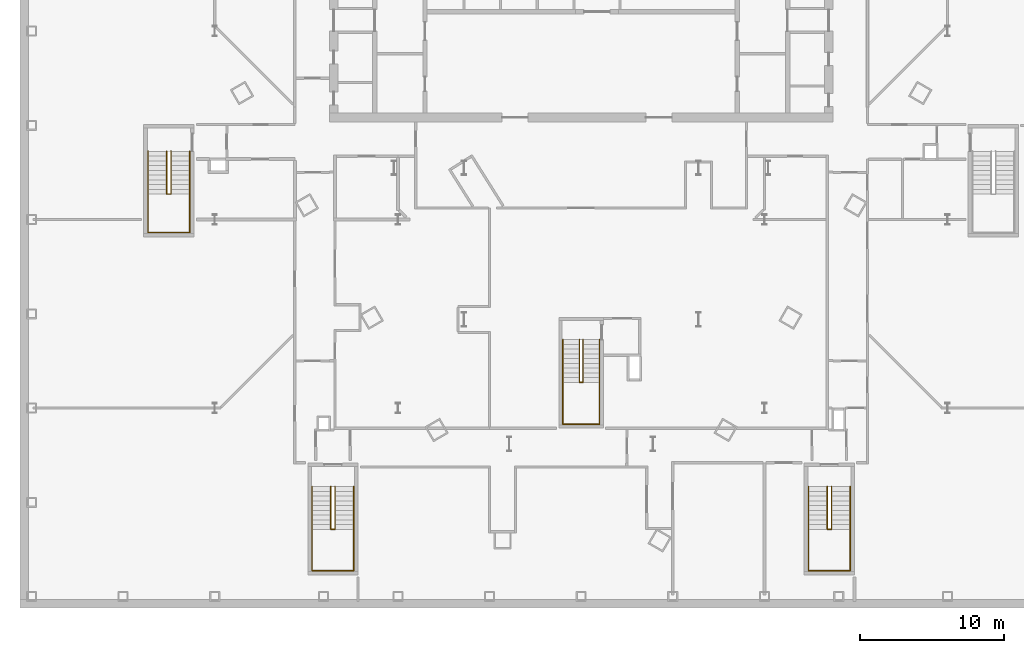
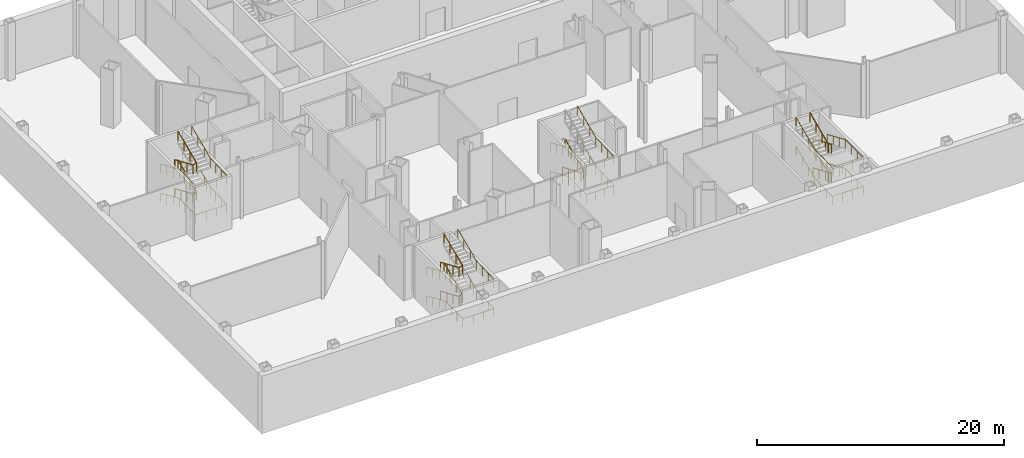
# One storey, part 16 of 18: 15 railings.
"""IFC4 building model written with IfcOpenShell, lengths in metres."""

from ifc_helpers import new_model, si_unit, direction, frame, origin, origin_2d, place, context, subcontext, project, spatial, circle, extrude, material, type_object, element, save


model = new_model("IFC4")

# Units and contexts
model_context = context("Model", 3, precision=1e-05, world=origin(), true_north=direction((0.0, 1.0)))
body_context = subcontext(model_context, "Body", "Model", "MODEL_VIEW")
ifc_project = project(units=[si_unit("LENGTHUNIT", "METRE"), si_unit("AREAUNIT", "SQUARE_METRE"), si_unit("VOLUMEUNIT", "CUBIC_METRE"), si_unit("PLANEANGLEUNIT", "RADIAN"), si_unit("MASSUNIT", "GRAM", prefix="KILO")], contexts=[model_context])

# Site, building, storey
site_placement = place(None, origin())
site = spatial("IfcSite", under=ifc_project, at=site_placement, CompositionType="ELEMENT")
building_placement = place(site_placement, origin())
building = spatial("IfcBuilding", under=site, at=building_placement, Name="Njiva Tower", CompositionType="ELEMENT")
storey_placement = place(building_placement, frame((0.0, 0.0, -5.7)))
storey = spatial("IfcBuildingStorey", under=building, at=storey_placement, Name="B1", CompositionType="ELEMENT", Elevation=-5.7)

# Railings
ifc_material = material(Name="Stainless steel", Category="steel")
railing_type = type_object("IfcRailingType", Name="RL1 Stair handrail 900", PredefinedType="HANDRAIL", material=ifc_material)
railing_1_placement = place(storey_placement, frame((-1.275, -15.135, 0.1425)))
element("IfcRailing", 1, at=railing_1_placement, inside=storey, type_object=railing_type, Name="Stair C handrail", PredefinedType="HANDRAIL", context=body_context, shape_type="SweptSolid", body=[
    extrude(circle(Radius=0.024, at=origin_2d()), frame((0.0, 0.0, 0.876), z_axis=(0.0, -0.918062353536, 0.3964360163), x_axis=(1.0, 0.0, 0.0)), (0.0, 0.0, 1.0), 3.2351),
    extrude(circle(Radius=0.024, at=origin_2d()), frame((0.0, -2.97, 2.1585), z_axis=(0.0, -1.0, 0.0), x_axis=(1.0, 0.0, 0.0)), (0.0, 0.0, 1.0), 2.92),
    extrude(circle(Radius=0.024, at=origin_2d()), frame((0.0, -5.89, 2.1585), z_axis=(1.0, 0.0, 0.0), x_axis=(0.0, 1.0, 0.0)), (0.0, 0.0, 1.0), 2.55),
    extrude(circle(Radius=0.024, at=origin_2d()), frame((2.55, -5.89, 2.1585), z_axis=(0.0, 0.998811335897, 0.048743361426), x_axis=(-1.0, 0.0, 0.0)), (0.0, 0.0, 1.0), 2.9235),
    extrude(circle(Radius=0.024, at=origin_2d()), frame((2.55, -2.97, 2.301), z_axis=(0.0, 0.918062353536, 0.3964360163), x_axis=(-1.0, 0.0, 0.0)), (0.0, 0.0, 1.0), 3.2351),
    extrude(circle(Radius=0.021, at=origin_2d()), origin(), (0.0, 0.0, 1.0), 0.852),
    extrude(circle(Radius=0.021, at=origin_2d()), frame((0.0, -0.99, 0.4275)), (0.0, 0.0, 1.0), 0.852),
    extrude(circle(Radius=0.021, at=origin_2d()), frame((0.0, -1.98, 0.855)), (0.0, 0.0, 1.0), 0.852),
    extrude(circle(Radius=0.021, at=origin_2d()), frame((0.0, -2.97, 1.2825)), (0.0, 0.0, 1.0), 0.852),
    extrude(circle(Radius=0.021, at=origin_2d()), frame((0.0, -3.9433, 1.2825)), (0.0, 0.0, 1.0), 0.852),
    extrude(circle(Radius=0.021, at=origin_2d()), frame((0.0, -4.9167, 1.2825)), (0.0, 0.0, 1.0), 0.852),
    extrude(circle(Radius=0.021, at=origin_2d()), frame((0.0, -5.89, 1.2825)), (0.0, 0.0, 1.0), 0.852),
    extrude(circle(Radius=0.021, at=origin_2d()), frame((0.85, -5.89, 1.2825)), (0.0, 0.0, 1.0), 0.852),
    extrude(circle(Radius=0.021, at=origin_2d()), frame((1.7, -5.89, 1.2825)), (0.0, 0.0, 1.0), 0.852),
    extrude(circle(Radius=0.021, at=origin_2d()), frame((2.55, -5.89, 1.2825)), (0.0, 0.0, 1.0), 0.852),
    extrude(circle(Radius=0.021, at=origin_2d()), frame((2.55, -4.9167, 1.33)), (0.0, 0.0, 1.0), 0.852),
    extrude(circle(Radius=0.021, at=origin_2d()), frame((2.55, -3.9433, 1.3775)), (0.0, 0.0, 1.0), 0.852),
    extrude(circle(Radius=0.021, at=origin_2d()), frame((2.55, -2.97, 1.425)), (0.0, 0.0, 1.0), 0.852),
    extrude(circle(Radius=0.021, at=origin_2d()), frame((2.55, -1.98, 1.8525)), (0.0, 0.0, 1.0), 0.852),
    extrude(circle(Radius=0.021, at=origin_2d()), frame((2.55, -0.99, 2.28)), (0.0, 0.0, 1.0), 0.852),
    extrude(circle(Radius=0.021, at=origin_2d()), frame((2.55, 0.0, 2.7075)), (0.0, 0.0, 1.0), 0.852),
])
railing_2_placement = place(storey_placement, frame((-0.125, -15.135, 0.1425)))
element("IfcRailing", 2, at=railing_2_placement, inside=storey, type_object=railing_type, Name="Stair C handrail", PredefinedType="HANDRAIL", context=body_context, shape_type="SweptSolid", body=[
    extrude(circle(Radius=0.024, at=origin_2d()), frame((0.0, 0.0, 0.876), z_axis=(0.0, -0.918062353536, 0.3964360163), x_axis=(1.0, 0.0, 0.0)), (0.0, 0.0, 1.0), 3.2351),
    extrude(circle(Radius=0.024, at=origin_2d()), frame((0.0, -2.97, 2.1585), z_axis=(0.868777270193, 0.0, 0.49520304401), x_axis=(0.0, 1.0, 0.0)), (0.0, 0.0, 1.0), 0.2878),
    extrude(circle(Radius=0.024, at=origin_2d()), frame((0.25, -2.97, 2.301), z_axis=(0.0, 0.918062353536, 0.3964360163), x_axis=(-1.0, 0.0, 0.0)), (0.0, 0.0, 1.0), 3.2351),
    extrude(circle(Radius=0.021, at=origin_2d()), origin(), (0.0, 0.0, 1.0), 0.852),
    extrude(circle(Radius=0.021, at=origin_2d()), frame((0.0, -0.99, 0.4275)), (0.0, 0.0, 1.0), 0.852),
    extrude(circle(Radius=0.021, at=origin_2d()), frame((0.0, -1.98, 0.855)), (0.0, 0.0, 1.0), 0.852),
    extrude(circle(Radius=0.021, at=origin_2d()), frame((0.0, -2.97, 1.2825)), (0.0, 0.0, 1.0), 0.852),
    extrude(circle(Radius=0.021, at=origin_2d()), frame((0.25, -2.97, 1.425)), (0.0, 0.0, 1.0), 0.852),
    extrude(circle(Radius=0.021, at=origin_2d()), frame((0.25, -1.98, 1.8525)), (0.0, 0.0, 1.0), 0.852),
    extrude(circle(Radius=0.021, at=origin_2d()), frame((0.25, -0.99, 2.28)), (0.0, 0.0, 1.0), 0.852),
    extrude(circle(Radius=0.021, at=origin_2d()), frame((0.25, 0.0, 2.7075)), (0.0, 0.0, 1.0), 0.852),
])
railing_3_placement = place(storey_placement, frame((-1.275, -15.135, 2.9925)))
element("IfcRailing", 3, at=railing_3_placement, inside=storey, type_object=railing_type, Name="Stair C handrail", PredefinedType="HANDRAIL", context=body_context, shape_type="SweptSolid", body=[
    extrude(circle(Radius=0.024, at=origin_2d()), frame((0.0, 0.0, 0.876), z_axis=(0.0, -0.918062353536, 0.3964360163), x_axis=(1.0, 0.0, 0.0)), (0.0, 0.0, 1.0), 3.2351),
    extrude(circle(Radius=0.024, at=origin_2d()), frame((0.0, -2.97, 2.1585), z_axis=(0.0, -1.0, 0.0), x_axis=(1.0, 0.0, 0.0)), (0.0, 0.0, 1.0), 2.92),
    extrude(circle(Radius=0.024, at=origin_2d()), frame((0.0, -5.89, 2.1585), z_axis=(1.0, 0.0, 0.0), x_axis=(0.0, 1.0, 0.0)), (0.0, 0.0, 1.0), 2.55),
    extrude(circle(Radius=0.024, at=origin_2d()), frame((2.55, -5.89, 2.1585), z_axis=(0.0, 0.998811335897, 0.048743361426), x_axis=(-1.0, 0.0, 0.0)), (0.0, 0.0, 1.0), 2.9235),
    extrude(circle(Radius=0.024, at=origin_2d()), frame((2.55, -2.97, 2.301), z_axis=(0.0, 0.918062353536, 0.3964360163), x_axis=(-1.0, 0.0, 0.0)), (0.0, 0.0, 1.0), 3.2351),
    extrude(circle(Radius=0.021, at=origin_2d()), origin(), (0.0, 0.0, 1.0), 0.852),
    extrude(circle(Radius=0.021, at=origin_2d()), frame((0.0, -0.99, 0.4275)), (0.0, 0.0, 1.0), 0.852),
    extrude(circle(Radius=0.021, at=origin_2d()), frame((0.0, -1.98, 0.855)), (0.0, 0.0, 1.0), 0.852),
    extrude(circle(Radius=0.021, at=origin_2d()), frame((0.0, -2.97, 1.2825)), (0.0, 0.0, 1.0), 0.852),
    extrude(circle(Radius=0.021, at=origin_2d()), frame((0.0, -3.9433, 1.2825)), (0.0, 0.0, 1.0), 0.852),
    extrude(circle(Radius=0.021, at=origin_2d()), frame((0.0, -4.9167, 1.2825)), (0.0, 0.0, 1.0), 0.852),
    extrude(circle(Radius=0.021, at=origin_2d()), frame((0.0, -5.89, 1.2825)), (0.0, 0.0, 1.0), 0.852),
    extrude(circle(Radius=0.021, at=origin_2d()), frame((0.85, -5.89, 1.2825)), (0.0, 0.0, 1.0), 0.852),
    extrude(circle(Radius=0.021, at=origin_2d()), frame((1.7, -5.89, 1.2825)), (0.0, 0.0, 1.0), 0.852),
    extrude(circle(Radius=0.021, at=origin_2d()), frame((2.55, -5.89, 1.2825)), (0.0, 0.0, 1.0), 0.852),
    extrude(circle(Radius=0.021, at=origin_2d()), frame((2.55, -4.9167, 1.33)), (0.0, 0.0, 1.0), 0.852),
    extrude(circle(Radius=0.021, at=origin_2d()), frame((2.55, -3.9433, 1.3775)), (0.0, 0.0, 1.0), 0.852),
    extrude(circle(Radius=0.021, at=origin_2d()), frame((2.55, -2.97, 1.425)), (0.0, 0.0, 1.0), 0.852),
    extrude(circle(Radius=0.021, at=origin_2d()), frame((2.55, -1.98, 1.8525)), (0.0, 0.0, 1.0), 0.852),
    extrude(circle(Radius=0.021, at=origin_2d()), frame((2.55, -0.99, 2.28)), (0.0, 0.0, 1.0), 0.852),
    extrude(circle(Radius=0.021, at=origin_2d()), frame((2.55, 0.0, 2.7075)), (0.0, 0.0, 1.0), 0.852),
])
railing_4_placement = place(storey_placement, frame((-18.7, -25.35, 0.1425)))
element("IfcRailing", 4, at=railing_4_placement, inside=storey, type_object=railing_type, Name="Stair D handrail", PredefinedType="HANDRAIL", context=body_context, shape_type="SweptSolid", body=[
    extrude(circle(Radius=0.024, at=origin_2d()), frame((0.0, 0.0, 0.876), z_axis=(0.0, -0.918062353536, 0.3964360163), x_axis=(1.0, 0.0, 0.0)), (0.0, 0.0, 1.0), 3.2351),
    extrude(circle(Radius=0.024, at=origin_2d()), frame((0.0, -2.97, 2.1585), z_axis=(0.0, -1.0, 0.0), x_axis=(1.0, 0.0, 0.0)), (0.0, 0.0, 1.0), 2.88),
    extrude(circle(Radius=0.024, at=origin_2d()), frame((0.0, -5.85, 2.1585), z_axis=(1.0, 0.0, 0.0), x_axis=(0.0, 1.0, 0.0)), (0.0, 0.0, 1.0), 2.9),
    extrude(circle(Radius=0.024, at=origin_2d()), frame((2.9, -5.85, 2.1585), z_axis=(0.0, 0.998778149066, 0.049418710501), x_axis=(-1.0, 0.0, 0.0)), (0.0, 0.0, 1.0), 2.8835),
    extrude(circle(Radius=0.024, at=origin_2d()), frame((2.9, -2.97, 2.301), z_axis=(0.0, 0.918062353536, 0.3964360163), x_axis=(-1.0, 0.0, 0.0)), (0.0, 0.0, 1.0), 3.2351),
    extrude(circle(Radius=0.021, at=origin_2d()), origin(), (0.0, 0.0, 1.0), 0.852),
    extrude(circle(Radius=0.021, at=origin_2d()), frame((0.0, -0.99, 0.4275)), (0.0, 0.0, 1.0), 0.852),
    extrude(circle(Radius=0.021, at=origin_2d()), frame((0.0, -1.98, 0.855)), (0.0, 0.0, 1.0), 0.852),
    extrude(circle(Radius=0.021, at=origin_2d()), frame((0.0, -2.97, 1.2825)), (0.0, 0.0, 1.0), 0.852),
    extrude(circle(Radius=0.021, at=origin_2d()), frame((0.0, -3.93, 1.2825)), (0.0, 0.0, 1.0), 0.852),
    extrude(circle(Radius=0.021, at=origin_2d()), frame((0.0, -4.89, 1.2825)), (0.0, 0.0, 1.0), 0.852),
    extrude(circle(Radius=0.021, at=origin_2d()), frame((0.0, -5.85, 1.2825)), (0.0, 0.0, 1.0), 0.852),
    extrude(circle(Radius=0.021, at=origin_2d()), frame((0.9667, -5.85, 1.2825)), (0.0, 0.0, 1.0), 0.852),
    extrude(circle(Radius=0.021, at=origin_2d()), frame((1.9333, -5.85, 1.2825)), (0.0, 0.0, 1.0), 0.852),
    extrude(circle(Radius=0.021, at=origin_2d()), frame((2.9, -5.85, 1.2825)), (0.0, 0.0, 1.0), 0.852),
    extrude(circle(Radius=0.021, at=origin_2d()), frame((2.9, -4.89, 1.33)), (0.0, 0.0, 1.0), 0.852),
    extrude(circle(Radius=0.021, at=origin_2d()), frame((2.9, -3.93, 1.3775)), (0.0, 0.0, 1.0), 0.852),
    extrude(circle(Radius=0.021, at=origin_2d()), frame((2.9, -2.97, 1.425)), (0.0, 0.0, 1.0), 0.852),
    extrude(circle(Radius=0.021, at=origin_2d()), frame((2.9, -1.98, 1.8525)), (0.0, 0.0, 1.0), 0.852),
    extrude(circle(Radius=0.021, at=origin_2d()), frame((2.9, -0.99, 2.28)), (0.0, 0.0, 1.0), 0.852),
    extrude(circle(Radius=0.021, at=origin_2d()), frame((2.9, 0.0, 2.7075)), (0.0, 0.0, 1.0), 0.852),
])
railing_5_placement = place(storey_placement, frame((-17.4, -25.35, 0.1425)))
element("IfcRailing", 5, at=railing_5_placement, inside=storey, type_object=railing_type, Name="Stair D handrail", PredefinedType="HANDRAIL", context=body_context, shape_type="SweptSolid", body=[
    extrude(circle(Radius=0.024, at=origin_2d()), frame((0.0, 0.0, 0.876), z_axis=(0.0, -0.918062353536, 0.3964360163), x_axis=(1.0, 0.0, 0.0)), (0.0, 0.0, 1.0), 3.2351),
    extrude(circle(Radius=0.024, at=origin_2d()), frame((0.0, -2.97, 2.1585), z_axis=(0.903277504354, 0.0, 0.429056814568), x_axis=(0.0, 1.0, 0.0)), (0.0, 0.0, 1.0), 0.3321),
    extrude(circle(Radius=0.024, at=origin_2d()), frame((0.3, -2.97, 2.301), z_axis=(0.0, 0.918062353536, 0.3964360163), x_axis=(-1.0, 0.0, 0.0)), (0.0, 0.0, 1.0), 3.2351),
    extrude(circle(Radius=0.021, at=origin_2d()), origin(), (0.0, 0.0, 1.0), 0.852),
    extrude(circle(Radius=0.021, at=origin_2d()), frame((0.0, -0.99, 0.4275)), (0.0, 0.0, 1.0), 0.852),
    extrude(circle(Radius=0.021, at=origin_2d()), frame((0.0, -1.98, 0.855)), (0.0, 0.0, 1.0), 0.852),
    extrude(circle(Radius=0.021, at=origin_2d()), frame((0.0, -2.97, 1.2825)), (0.0, 0.0, 1.0), 0.852),
    extrude(circle(Radius=0.021, at=origin_2d()), frame((0.3, -2.97, 1.425)), (0.0, 0.0, 1.0), 0.852),
    extrude(circle(Radius=0.021, at=origin_2d()), frame((0.3, -1.98, 1.8525)), (0.0, 0.0, 1.0), 0.852),
    extrude(circle(Radius=0.021, at=origin_2d()), frame((0.3, -0.99, 2.28)), (0.0, 0.0, 1.0), 0.852),
    extrude(circle(Radius=0.021, at=origin_2d()), frame((0.3, 0.0, 2.7075)), (0.0, 0.0, 1.0), 0.852),
])
railing_6_placement = place(storey_placement, frame((-18.7, -25.35, 2.9925)))
element("IfcRailing", 6, at=railing_6_placement, inside=storey, type_object=railing_type, Name="Stair D handrail", PredefinedType="HANDRAIL", context=body_context, shape_type="SweptSolid", body=[
    extrude(circle(Radius=0.024, at=origin_2d()), frame((0.0, 0.0, 0.876), z_axis=(0.0, -0.918062353536, 0.3964360163), x_axis=(1.0, 0.0, 0.0)), (0.0, 0.0, 1.0), 3.2351),
    extrude(circle(Radius=0.024, at=origin_2d()), frame((0.0, -2.97, 2.1585), z_axis=(0.0, -1.0, 0.0), x_axis=(1.0, 0.0, 0.0)), (0.0, 0.0, 1.0), 2.88),
    extrude(circle(Radius=0.024, at=origin_2d()), frame((0.0, -5.85, 2.1585), z_axis=(1.0, 0.0, 0.0), x_axis=(0.0, 1.0, 0.0)), (0.0, 0.0, 1.0), 2.9),
    extrude(circle(Radius=0.024, at=origin_2d()), frame((2.9, -5.85, 2.1585), z_axis=(0.0, 0.998778149066, 0.049418710501), x_axis=(-1.0, 0.0, 0.0)), (0.0, 0.0, 1.0), 2.8835),
    extrude(circle(Radius=0.024, at=origin_2d()), frame((2.9, -2.97, 2.301), z_axis=(0.0, 0.918062353536, 0.3964360163), x_axis=(-1.0, 0.0, 0.0)), (0.0, 0.0, 1.0), 3.2351),
    extrude(circle(Radius=0.021, at=origin_2d()), origin(), (0.0, 0.0, 1.0), 0.852),
    extrude(circle(Radius=0.021, at=origin_2d()), frame((0.0, -0.99, 0.4275)), (0.0, 0.0, 1.0), 0.852),
    extrude(circle(Radius=0.021, at=origin_2d()), frame((0.0, -1.98, 0.855)), (0.0, 0.0, 1.0), 0.852),
    extrude(circle(Radius=0.021, at=origin_2d()), frame((0.0, -2.97, 1.2825)), (0.0, 0.0, 1.0), 0.852),
    extrude(circle(Radius=0.021, at=origin_2d()), frame((0.0, -3.93, 1.2825)), (0.0, 0.0, 1.0), 0.852),
    extrude(circle(Radius=0.021, at=origin_2d()), frame((0.0, -4.89, 1.2825)), (0.0, 0.0, 1.0), 0.852),
    extrude(circle(Radius=0.021, at=origin_2d()), frame((0.0, -5.85, 1.2825)), (0.0, 0.0, 1.0), 0.852),
    extrude(circle(Radius=0.021, at=origin_2d()), frame((0.9667, -5.85, 1.2825)), (0.0, 0.0, 1.0), 0.852),
    extrude(circle(Radius=0.021, at=origin_2d()), frame((1.9333, -5.85, 1.2825)), (0.0, 0.0, 1.0), 0.852),
    extrude(circle(Radius=0.021, at=origin_2d()), frame((2.9, -5.85, 1.2825)), (0.0, 0.0, 1.0), 0.852),
    extrude(circle(Radius=0.021, at=origin_2d()), frame((2.9, -4.89, 1.33)), (0.0, 0.0, 1.0), 0.852),
    extrude(circle(Radius=0.021, at=origin_2d()), frame((2.9, -3.93, 1.3775)), (0.0, 0.0, 1.0), 0.852),
    extrude(circle(Radius=0.021, at=origin_2d()), frame((2.9, -2.97, 1.425)), (0.0, 0.0, 1.0), 0.852),
    extrude(circle(Radius=0.021, at=origin_2d()), frame((2.9, -1.98, 1.8525)), (0.0, 0.0, 1.0), 0.852),
    extrude(circle(Radius=0.021, at=origin_2d()), frame((2.9, -0.99, 2.28)), (0.0, 0.0, 1.0), 0.852),
    extrude(circle(Radius=0.021, at=origin_2d()), frame((2.9, 0.0, 2.7075)), (0.0, 0.0, 1.0), 0.852),
])
railing_7_placement = place(storey_placement, frame((-17.4, -25.35, 2.9925)))
element("IfcRailing", 7, at=railing_7_placement, inside=storey, type_object=railing_type, Name="Stair D handrail", PredefinedType="HANDRAIL", context=body_context, shape_type="SweptSolid", body=[
    extrude(circle(Radius=0.024, at=origin_2d()), frame((0.0, 0.0, 0.876), z_axis=(0.0, -0.918062353536, 0.3964360163), x_axis=(1.0, 0.0, 0.0)), (0.0, 0.0, 1.0), 3.2351),
    extrude(circle(Radius=0.024, at=origin_2d()), frame((0.0, -2.97, 2.1585), z_axis=(0.903277504354, 0.0, 0.429056814568), x_axis=(0.0, 1.0, 0.0)), (0.0, 0.0, 1.0), 0.3321),
    extrude(circle(Radius=0.024, at=origin_2d()), frame((0.3, -2.97, 2.301), z_axis=(0.0, 0.918062353536, 0.3964360163), x_axis=(-1.0, 0.0, 0.0)), (0.0, 0.0, 1.0), 3.2351),
    extrude(circle(Radius=0.021, at=origin_2d()), origin(), (0.0, 0.0, 1.0), 0.852),
    extrude(circle(Radius=0.021, at=origin_2d()), frame((0.0, -0.99, 0.4275)), (0.0, 0.0, 1.0), 0.852),
    extrude(circle(Radius=0.021, at=origin_2d()), frame((0.0, -1.98, 0.855)), (0.0, 0.0, 1.0), 0.852),
    extrude(circle(Radius=0.021, at=origin_2d()), frame((0.0, -2.97, 1.2825)), (0.0, 0.0, 1.0), 0.852),
    extrude(circle(Radius=0.021, at=origin_2d()), frame((0.3, -2.97, 1.425)), (0.0, 0.0, 1.0), 0.852),
    extrude(circle(Radius=0.021, at=origin_2d()), frame((0.3, -1.98, 1.8525)), (0.0, 0.0, 1.0), 0.852),
    extrude(circle(Radius=0.021, at=origin_2d()), frame((0.3, -0.99, 2.28)), (0.0, 0.0, 1.0), 0.852),
    extrude(circle(Radius=0.021, at=origin_2d()), frame((0.3, 0.0, 2.7075)), (0.0, 0.0, 1.0), 0.852),
])
railing_8_placement = place(storey_placement, frame((18.7, -25.35, 0.1425)))
element("IfcRailing", 8, at=railing_8_placement, inside=storey, type_object=railing_type, Name="Stair E handrail", PredefinedType="HANDRAIL", context=body_context, shape_type="SweptSolid", body=[
    extrude(circle(Radius=0.024, at=origin_2d()), frame((0.0, 0.0, 0.876), z_axis=(0.0, -0.918062353536, 0.3964360163), x_axis=(1.0, 0.0, 0.0)), (0.0, 0.0, 1.0), 3.2351),
    extrude(circle(Radius=0.024, at=origin_2d()), frame((0.0, -2.97, 2.1585), z_axis=(0.0, -1.0, 0.0), x_axis=(1.0, 0.0, 0.0)), (0.0, 0.0, 1.0), 2.88),
    extrude(circle(Radius=0.024, at=origin_2d()), frame((0.0, -5.85, 2.1585), z_axis=(-1.0, 0.0, 0.0), x_axis=(0.0, -1.0, 0.0)), (0.0, 0.0, 1.0), 2.9),
    extrude(circle(Radius=0.024, at=origin_2d()), frame((-2.9, -5.85, 2.1585), z_axis=(0.0, 0.998778149066, 0.049418710501), x_axis=(-1.0, 0.0, 0.0)), (0.0, 0.0, 1.0), 2.8835),
    extrude(circle(Radius=0.024, at=origin_2d()), frame((-2.9, -2.97, 2.301), z_axis=(0.0, 0.918062353536, 0.3964360163), x_axis=(-1.0, 0.0, 0.0)), (0.0, 0.0, 1.0), 3.2351),
    extrude(circle(Radius=0.021, at=origin_2d()), origin(), (0.0, 0.0, 1.0), 0.852),
    extrude(circle(Radius=0.021, at=origin_2d()), frame((0.0, -0.99, 0.4275)), (0.0, 0.0, 1.0), 0.852),
    extrude(circle(Radius=0.021, at=origin_2d()), frame((0.0, -1.98, 0.855)), (0.0, 0.0, 1.0), 0.852),
    extrude(circle(Radius=0.021, at=origin_2d()), frame((0.0, -2.97, 1.2825)), (0.0, 0.0, 1.0), 0.852),
    extrude(circle(Radius=0.021, at=origin_2d()), frame((0.0, -3.93, 1.2825)), (0.0, 0.0, 1.0), 0.852),
    extrude(circle(Radius=0.021, at=origin_2d()), frame((0.0, -4.89, 1.2825)), (0.0, 0.0, 1.0), 0.852),
    extrude(circle(Radius=0.021, at=origin_2d()), frame((0.0, -5.85, 1.2825)), (0.0, 0.0, 1.0), 0.852),
    extrude(circle(Radius=0.021, at=origin_2d()), frame((-0.9667, -5.85, 1.2825)), (0.0, 0.0, 1.0), 0.852),
    extrude(circle(Radius=0.021, at=origin_2d()), frame((-1.9333, -5.85, 1.2825)), (0.0, 0.0, 1.0), 0.852),
    extrude(circle(Radius=0.021, at=origin_2d()), frame((-2.9, -5.85, 1.2825)), (0.0, 0.0, 1.0), 0.852),
    extrude(circle(Radius=0.021, at=origin_2d()), frame((-2.9, -4.89, 1.33)), (0.0, 0.0, 1.0), 0.852),
    extrude(circle(Radius=0.021, at=origin_2d()), frame((-2.9, -3.93, 1.3775)), (0.0, 0.0, 1.0), 0.852),
    extrude(circle(Radius=0.021, at=origin_2d()), frame((-2.9, -2.97, 1.425)), (0.0, 0.0, 1.0), 0.852),
    extrude(circle(Radius=0.021, at=origin_2d()), frame((-2.9, -1.98, 1.8525)), (0.0, 0.0, 1.0), 0.852),
    extrude(circle(Radius=0.021, at=origin_2d()), frame((-2.9, -0.99, 2.28)), (0.0, 0.0, 1.0), 0.852),
    extrude(circle(Radius=0.021, at=origin_2d()), frame((-2.9, 0.0, 2.7075)), (0.0, 0.0, 1.0), 0.852),
])
railing_9_placement = place(storey_placement, frame((17.4, -25.35, 0.1425)))
element("IfcRailing", 9, at=railing_9_placement, inside=storey, type_object=railing_type, Name="Stair E handrail", PredefinedType="HANDRAIL", context=body_context, shape_type="SweptSolid", body=[
    extrude(circle(Radius=0.024, at=origin_2d()), frame((0.0, 0.0, 0.876), z_axis=(0.0, -0.918062353536, 0.3964360163), x_axis=(1.0, 0.0, 0.0)), (0.0, 0.0, 1.0), 3.2351),
    extrude(circle(Radius=0.024, at=origin_2d()), frame((0.0, -2.97, 2.1585), z_axis=(-0.903277504354, 0.0, 0.429056814568), x_axis=(0.0, -1.0, 0.0)), (0.0, 0.0, 1.0), 0.3321),
    extrude(circle(Radius=0.024, at=origin_2d()), frame((-0.3, -2.97, 2.301), z_axis=(0.0, 0.918062353536, 0.3964360163), x_axis=(-1.0, 0.0, 0.0)), (0.0, 0.0, 1.0), 3.2351),
    extrude(circle(Radius=0.021, at=origin_2d()), origin(), (0.0, 0.0, 1.0), 0.852),
    extrude(circle(Radius=0.021, at=origin_2d()), frame((0.0, -0.99, 0.4275)), (0.0, 0.0, 1.0), 0.852),
    extrude(circle(Radius=0.021, at=origin_2d()), frame((0.0, -1.98, 0.855)), (0.0, 0.0, 1.0), 0.852),
    extrude(circle(Radius=0.021, at=origin_2d()), frame((0.0, -2.97, 1.2825)), (0.0, 0.0, 1.0), 0.852),
    extrude(circle(Radius=0.021, at=origin_2d()), frame((-0.3, -2.97, 1.425)), (0.0, 0.0, 1.0), 0.852),
    extrude(circle(Radius=0.021, at=origin_2d()), frame((-0.3, -1.98, 1.8525)), (0.0, 0.0, 1.0), 0.852),
    extrude(circle(Radius=0.021, at=origin_2d()), frame((-0.3, -0.99, 2.28)), (0.0, 0.0, 1.0), 0.852),
    extrude(circle(Radius=0.021, at=origin_2d()), frame((-0.3, 0.0, 2.7075)), (0.0, 0.0, 1.0), 0.852),
])
railing_10_placement = place(storey_placement, frame((18.7, -25.35, 2.9925)))
element("IfcRailing", 10, at=railing_10_placement, inside=storey, type_object=railing_type, Name="Stair E handrail", PredefinedType="HANDRAIL", context=body_context, shape_type="SweptSolid", body=[
    extrude(circle(Radius=0.024, at=origin_2d()), frame((0.0, 0.0, 0.876), z_axis=(0.0, -0.918062353536, 0.3964360163), x_axis=(1.0, 0.0, 0.0)), (0.0, 0.0, 1.0), 3.2351),
    extrude(circle(Radius=0.024, at=origin_2d()), frame((0.0, -2.97, 2.1585), z_axis=(0.0, -1.0, 0.0), x_axis=(1.0, 0.0, 0.0)), (0.0, 0.0, 1.0), 2.88),
    extrude(circle(Radius=0.024, at=origin_2d()), frame((0.0, -5.85, 2.1585), z_axis=(-1.0, 0.0, 0.0), x_axis=(0.0, -1.0, 0.0)), (0.0, 0.0, 1.0), 2.9),
    extrude(circle(Radius=0.024, at=origin_2d()), frame((-2.9, -5.85, 2.1585), z_axis=(0.0, 0.998778149066, 0.049418710501), x_axis=(-1.0, 0.0, 0.0)), (0.0, 0.0, 1.0), 2.8835),
    extrude(circle(Radius=0.024, at=origin_2d()), frame((-2.9, -2.97, 2.301), z_axis=(0.0, 0.918062353536, 0.3964360163), x_axis=(-1.0, 0.0, 0.0)), (0.0, 0.0, 1.0), 3.2351),
    extrude(circle(Radius=0.021, at=origin_2d()), origin(), (0.0, 0.0, 1.0), 0.852),
    extrude(circle(Radius=0.021, at=origin_2d()), frame((0.0, -0.99, 0.4275)), (0.0, 0.0, 1.0), 0.852),
    extrude(circle(Radius=0.021, at=origin_2d()), frame((0.0, -1.98, 0.855)), (0.0, 0.0, 1.0), 0.852),
    extrude(circle(Radius=0.021, at=origin_2d()), frame((0.0, -2.97, 1.2825)), (0.0, 0.0, 1.0), 0.852),
    extrude(circle(Radius=0.021, at=origin_2d()), frame((0.0, -3.93, 1.2825)), (0.0, 0.0, 1.0), 0.852),
    extrude(circle(Radius=0.021, at=origin_2d()), frame((0.0, -4.89, 1.2825)), (0.0, 0.0, 1.0), 0.852),
    extrude(circle(Radius=0.021, at=origin_2d()), frame((0.0, -5.85, 1.2825)), (0.0, 0.0, 1.0), 0.852),
    extrude(circle(Radius=0.021, at=origin_2d()), frame((-0.9667, -5.85, 1.2825)), (0.0, 0.0, 1.0), 0.852),
    extrude(circle(Radius=0.021, at=origin_2d()), frame((-1.9333, -5.85, 1.2825)), (0.0, 0.0, 1.0), 0.852),
    extrude(circle(Radius=0.021, at=origin_2d()), frame((-2.9, -5.85, 1.2825)), (0.0, 0.0, 1.0), 0.852),
    extrude(circle(Radius=0.021, at=origin_2d()), frame((-2.9, -4.89, 1.33)), (0.0, 0.0, 1.0), 0.852),
    extrude(circle(Radius=0.021, at=origin_2d()), frame((-2.9, -3.93, 1.3775)), (0.0, 0.0, 1.0), 0.852),
    extrude(circle(Radius=0.021, at=origin_2d()), frame((-2.9, -2.97, 1.425)), (0.0, 0.0, 1.0), 0.852),
    extrude(circle(Radius=0.021, at=origin_2d()), frame((-2.9, -1.98, 1.8525)), (0.0, 0.0, 1.0), 0.852),
    extrude(circle(Radius=0.021, at=origin_2d()), frame((-2.9, -0.99, 2.28)), (0.0, 0.0, 1.0), 0.852),
    extrude(circle(Radius=0.021, at=origin_2d()), frame((-2.9, 0.0, 2.7075)), (0.0, 0.0, 1.0), 0.852),
])
railing_11_placement = place(storey_placement, frame((17.4, -25.35, 2.9925)))
element("IfcRailing", 11, at=railing_11_placement, inside=storey, type_object=railing_type, Name="Stair E handrail", PredefinedType="HANDRAIL", context=body_context, shape_type="SweptSolid", body=[
    extrude(circle(Radius=0.024, at=origin_2d()), frame((0.0, 0.0, 0.876), z_axis=(0.0, -0.918062353536, 0.3964360163), x_axis=(1.0, 0.0, 0.0)), (0.0, 0.0, 1.0), 3.2351),
    extrude(circle(Radius=0.024, at=origin_2d()), frame((0.0, -2.97, 2.1585), z_axis=(-0.903277504354, 0.0, 0.429056814568), x_axis=(0.0, -1.0, 0.0)), (0.0, 0.0, 1.0), 0.3321),
    extrude(circle(Radius=0.024, at=origin_2d()), frame((-0.3, -2.97, 2.301), z_axis=(0.0, 0.918062353536, 0.3964360163), x_axis=(-1.0, 0.0, 0.0)), (0.0, 0.0, 1.0), 3.2351),
    extrude(circle(Radius=0.021, at=origin_2d()), origin(), (0.0, 0.0, 1.0), 0.852),
    extrude(circle(Radius=0.021, at=origin_2d()), frame((0.0, -0.99, 0.4275)), (0.0, 0.0, 1.0), 0.852),
    extrude(circle(Radius=0.021, at=origin_2d()), frame((0.0, -1.98, 0.855)), (0.0, 0.0, 1.0), 0.852),
    extrude(circle(Radius=0.021, at=origin_2d()), frame((0.0, -2.97, 1.2825)), (0.0, 0.0, 1.0), 0.852),
    extrude(circle(Radius=0.021, at=origin_2d()), frame((-0.3, -2.97, 1.425)), (0.0, 0.0, 1.0), 0.852),
    extrude(circle(Radius=0.021, at=origin_2d()), frame((-0.3, -1.98, 1.8525)), (0.0, 0.0, 1.0), 0.852),
    extrude(circle(Radius=0.021, at=origin_2d()), frame((-0.3, -0.99, 2.28)), (0.0, 0.0, 1.0), 0.852),
    extrude(circle(Radius=0.021, at=origin_2d()), frame((-0.3, 0.0, 2.7075)), (0.0, 0.0, 1.0), 0.852),
])
railing_12_placement = place(storey_placement, frame((-30.1, -2.05, 0.1425)))
element("IfcRailing", 12, at=railing_12_placement, inside=storey, type_object=railing_type, Name="Stair F handrail", PredefinedType="HANDRAIL", context=body_context, shape_type="SweptSolid", body=[
    extrude(circle(Radius=0.024, at=origin_2d()), frame((0.0, 0.0, 0.876), z_axis=(0.0, -0.918062353536, 0.3964360163), x_axis=(1.0, 0.0, 0.0)), (0.0, 0.0, 1.0), 3.2351),
    extrude(circle(Radius=0.024, at=origin_2d()), frame((0.0, -2.97, 2.1585), z_axis=(0.0, -1.0, 0.0), x_axis=(1.0, 0.0, 0.0)), (0.0, 0.0, 1.0), 2.68),
    extrude(circle(Radius=0.024, at=origin_2d()), frame((0.0, -5.65, 2.1585), z_axis=(1.0, 0.0, 0.0), x_axis=(0.0, 1.0, 0.0)), (0.0, 0.0, 1.0), 2.9),
    extrude(circle(Radius=0.024, at=origin_2d()), frame((2.9, -5.65, 2.1585), z_axis=(0.0, 0.998589378657, 0.053096636738), x_axis=(-1.0, 0.0, 0.0)), (0.0, 0.0, 1.0), 2.6838),
    extrude(circle(Radius=0.024, at=origin_2d()), frame((2.9, -2.97, 2.301), z_axis=(0.0, 0.918062353536, 0.3964360163), x_axis=(-1.0, 0.0, 0.0)), (0.0, 0.0, 1.0), 3.2351),
    extrude(circle(Radius=0.021, at=origin_2d()), origin(), (0.0, 0.0, 1.0), 0.852),
    extrude(circle(Radius=0.021, at=origin_2d()), frame((0.0, -0.99, 0.4275)), (0.0, 0.0, 1.0), 0.852),
    extrude(circle(Radius=0.021, at=origin_2d()), frame((0.0, -1.98, 0.855)), (0.0, 0.0, 1.0), 0.852),
    extrude(circle(Radius=0.021, at=origin_2d()), frame((0.0, -2.97, 1.2825)), (0.0, 0.0, 1.0), 0.852),
    extrude(circle(Radius=0.021, at=origin_2d()), frame((0.0, -3.8633, 1.2825)), (0.0, 0.0, 1.0), 0.852),
    extrude(circle(Radius=0.021, at=origin_2d()), frame((0.0, -4.7567, 1.2825)), (0.0, 0.0, 1.0), 0.852),
    extrude(circle(Radius=0.021, at=origin_2d()), frame((0.0, -5.65, 1.2825)), (0.0, 0.0, 1.0), 0.852),
    extrude(circle(Radius=0.021, at=origin_2d()), frame((0.9667, -5.65, 1.2825)), (0.0, 0.0, 1.0), 0.852),
    extrude(circle(Radius=0.021, at=origin_2d()), frame((1.9333, -5.65, 1.2825)), (0.0, 0.0, 1.0), 0.852),
    extrude(circle(Radius=0.021, at=origin_2d()), frame((2.9, -5.65, 1.2825)), (0.0, 0.0, 1.0), 0.852),
    extrude(circle(Radius=0.021, at=origin_2d()), frame((2.9, -4.7567, 1.33)), (0.0, 0.0, 1.0), 0.852),
    extrude(circle(Radius=0.021, at=origin_2d()), frame((2.9, -3.8633, 1.3775)), (0.0, 0.0, 1.0), 0.852),
    extrude(circle(Radius=0.021, at=origin_2d()), frame((2.9, -2.97, 1.425)), (0.0, 0.0, 1.0), 0.852),
    extrude(circle(Radius=0.021, at=origin_2d()), frame((2.9, -1.98, 1.8525)), (0.0, 0.0, 1.0), 0.852),
    extrude(circle(Radius=0.021, at=origin_2d()), frame((2.9, -0.99, 2.28)), (0.0, 0.0, 1.0), 0.852),
    extrude(circle(Radius=0.021, at=origin_2d()), frame((2.9, 0.0, 2.7075)), (0.0, 0.0, 1.0), 0.852),
])
railing_13_placement = place(storey_placement, frame((-28.8, -2.05, 0.1425)))
element("IfcRailing", 13, at=railing_13_placement, inside=storey, type_object=railing_type, Name="Stair F handrail", PredefinedType="HANDRAIL", context=body_context, shape_type="SweptSolid", body=[
    extrude(circle(Radius=0.024, at=origin_2d()), frame((0.0, 0.0, 0.876), z_axis=(0.0, -0.918062353536, 0.3964360163), x_axis=(1.0, 0.0, 0.0)), (0.0, 0.0, 1.0), 3.2351),
    extrude(circle(Radius=0.024, at=origin_2d()), frame((0.0, -2.97, 2.1585), z_axis=(0.903277504354, 0.0, 0.429056814568), x_axis=(0.0, 1.0, 0.0)), (0.0, 0.0, 1.0), 0.3321),
    extrude(circle(Radius=0.024, at=origin_2d()), frame((0.3, -2.97, 2.301), z_axis=(0.0, 0.918062353536, 0.3964360163), x_axis=(-1.0, 0.0, 0.0)), (0.0, 0.0, 1.0), 3.2351),
    extrude(circle(Radius=0.021, at=origin_2d()), origin(), (0.0, 0.0, 1.0), 0.852),
    extrude(circle(Radius=0.021, at=origin_2d()), frame((0.0, -0.99, 0.4275)), (0.0, 0.0, 1.0), 0.852),
    extrude(circle(Radius=0.021, at=origin_2d()), frame((0.0, -1.98, 0.855)), (0.0, 0.0, 1.0), 0.852),
    extrude(circle(Radius=0.021, at=origin_2d()), frame((0.0, -2.97, 1.2825)), (0.0, 0.0, 1.0), 0.852),
    extrude(circle(Radius=0.021, at=origin_2d()), frame((0.3, -2.97, 1.425)), (0.0, 0.0, 1.0), 0.852),
    extrude(circle(Radius=0.021, at=origin_2d()), frame((0.3, -1.98, 1.8525)), (0.0, 0.0, 1.0), 0.852),
    extrude(circle(Radius=0.021, at=origin_2d()), frame((0.3, -0.99, 2.28)), (0.0, 0.0, 1.0), 0.852),
    extrude(circle(Radius=0.021, at=origin_2d()), frame((0.3, 0.0, 2.7075)), (0.0, 0.0, 1.0), 0.852),
])
railing_14_placement = place(storey_placement, frame((-30.1, -2.05, 2.9925)))
element("IfcRailing", 14, at=railing_14_placement, inside=storey, type_object=railing_type, Name="Stair F handrail", PredefinedType="HANDRAIL", context=body_context, shape_type="SweptSolid", body=[
    extrude(circle(Radius=0.024, at=origin_2d()), frame((0.0, 0.0, 0.876), z_axis=(0.0, -0.918062353536, 0.3964360163), x_axis=(1.0, 0.0, 0.0)), (0.0, 0.0, 1.0), 3.2351),
    extrude(circle(Radius=0.024, at=origin_2d()), frame((0.0, -2.97, 2.1585), z_axis=(0.0, -1.0, 0.0), x_axis=(1.0, 0.0, 0.0)), (0.0, 0.0, 1.0), 2.68),
    extrude(circle(Radius=0.024, at=origin_2d()), frame((0.0, -5.65, 2.1585), z_axis=(1.0, 0.0, 0.0), x_axis=(0.0, 1.0, 0.0)), (0.0, 0.0, 1.0), 2.9),
    extrude(circle(Radius=0.024, at=origin_2d()), frame((2.9, -5.65, 2.1585), z_axis=(0.0, 0.998589378657, 0.053096636738), x_axis=(-1.0, 0.0, 0.0)), (0.0, 0.0, 1.0), 2.6838),
    extrude(circle(Radius=0.024, at=origin_2d()), frame((2.9, -2.97, 2.301), z_axis=(0.0, 0.918062353536, 0.3964360163), x_axis=(-1.0, 0.0, 0.0)), (0.0, 0.0, 1.0), 3.2351),
    extrude(circle(Radius=0.021, at=origin_2d()), origin(), (0.0, 0.0, 1.0), 0.852),
    extrude(circle(Radius=0.021, at=origin_2d()), frame((0.0, -0.99, 0.4275)), (0.0, 0.0, 1.0), 0.852),
    extrude(circle(Radius=0.021, at=origin_2d()), frame((0.0, -1.98, 0.855)), (0.0, 0.0, 1.0), 0.852),
    extrude(circle(Radius=0.021, at=origin_2d()), frame((0.0, -2.97, 1.2825)), (0.0, 0.0, 1.0), 0.852),
    extrude(circle(Radius=0.021, at=origin_2d()), frame((0.0, -3.8633, 1.2825)), (0.0, 0.0, 1.0), 0.852),
    extrude(circle(Radius=0.021, at=origin_2d()), frame((0.0, -4.7567, 1.2825)), (0.0, 0.0, 1.0), 0.852),
    extrude(circle(Radius=0.021, at=origin_2d()), frame((0.0, -5.65, 1.2825)), (0.0, 0.0, 1.0), 0.852),
    extrude(circle(Radius=0.021, at=origin_2d()), frame((0.9667, -5.65, 1.2825)), (0.0, 0.0, 1.0), 0.852),
    extrude(circle(Radius=0.021, at=origin_2d()), frame((1.9333, -5.65, 1.2825)), (0.0, 0.0, 1.0), 0.852),
    extrude(circle(Radius=0.021, at=origin_2d()), frame((2.9, -5.65, 1.2825)), (0.0, 0.0, 1.0), 0.852),
    extrude(circle(Radius=0.021, at=origin_2d()), frame((2.9, -4.7567, 1.33)), (0.0, 0.0, 1.0), 0.852),
    extrude(circle(Radius=0.021, at=origin_2d()), frame((2.9, -3.8633, 1.3775)), (0.0, 0.0, 1.0), 0.852),
    extrude(circle(Radius=0.021, at=origin_2d()), frame((2.9, -2.97, 1.425)), (0.0, 0.0, 1.0), 0.852),
    extrude(circle(Radius=0.021, at=origin_2d()), frame((2.9, -1.98, 1.8525)), (0.0, 0.0, 1.0), 0.852),
    extrude(circle(Radius=0.021, at=origin_2d()), frame((2.9, -0.99, 2.28)), (0.0, 0.0, 1.0), 0.852),
    extrude(circle(Radius=0.021, at=origin_2d()), frame((2.9, 0.0, 2.7075)), (0.0, 0.0, 1.0), 0.852),
])
railing_15_placement = place(storey_placement, frame((-28.8, -2.05, 2.9925)))
element("IfcRailing", 15, at=railing_15_placement, inside=storey, type_object=railing_type, Name="Stair F handrail", PredefinedType="HANDRAIL", context=body_context, shape_type="SweptSolid", body=[
    extrude(circle(Radius=0.024, at=origin_2d()), frame((0.0, 0.0, 0.876), z_axis=(0.0, -0.918062353536, 0.3964360163), x_axis=(1.0, 0.0, 0.0)), (0.0, 0.0, 1.0), 3.2351),
    extrude(circle(Radius=0.024, at=origin_2d()), frame((0.0, -2.97, 2.1585), z_axis=(0.903277504354, 0.0, 0.429056814568), x_axis=(0.0, 1.0, 0.0)), (0.0, 0.0, 1.0), 0.3321),
    extrude(circle(Radius=0.024, at=origin_2d()), frame((0.3, -2.97, 2.301), z_axis=(0.0, 0.918062353536, 0.3964360163), x_axis=(-1.0, 0.0, 0.0)), (0.0, 0.0, 1.0), 3.2351),
    extrude(circle(Radius=0.021, at=origin_2d()), origin(), (0.0, 0.0, 1.0), 0.852),
    extrude(circle(Radius=0.021, at=origin_2d()), frame((0.0, -0.99, 0.4275)), (0.0, 0.0, 1.0), 0.852),
    extrude(circle(Radius=0.021, at=origin_2d()), frame((0.0, -1.98, 0.855)), (0.0, 0.0, 1.0), 0.852),
    extrude(circle(Radius=0.021, at=origin_2d()), frame((0.0, -2.97, 1.2825)), (0.0, 0.0, 1.0), 0.852),
    extrude(circle(Radius=0.021, at=origin_2d()), frame((0.3, -2.97, 1.425)), (0.0, 0.0, 1.0), 0.852),
    extrude(circle(Radius=0.021, at=origin_2d()), frame((0.3, -1.98, 1.8525)), (0.0, 0.0, 1.0), 0.852),
    extrude(circle(Radius=0.021, at=origin_2d()), frame((0.3, -0.99, 2.28)), (0.0, 0.0, 1.0), 0.852),
    extrude(circle(Radius=0.021, at=origin_2d()), frame((0.3, 0.0, 2.7075)), (0.0, 0.0, 1.0), 0.852),
])

save(model, "model.ifc")
